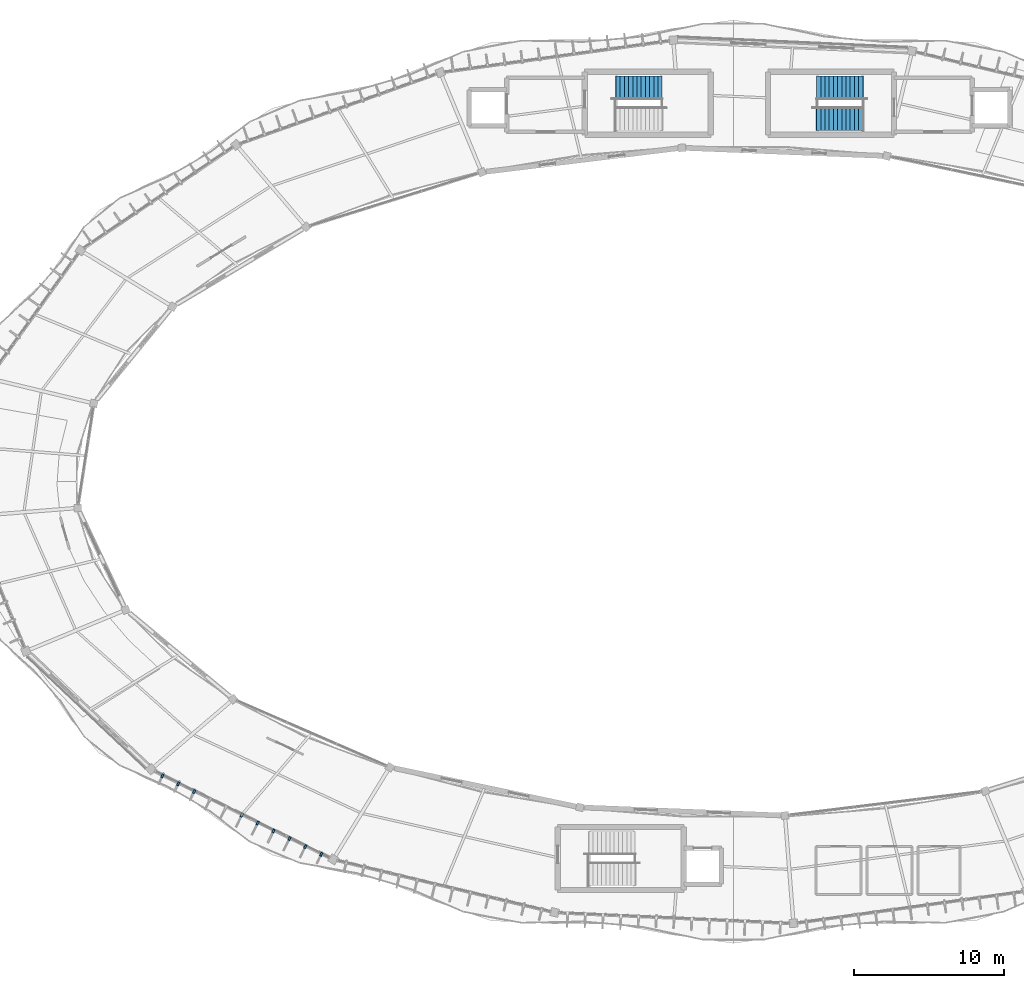
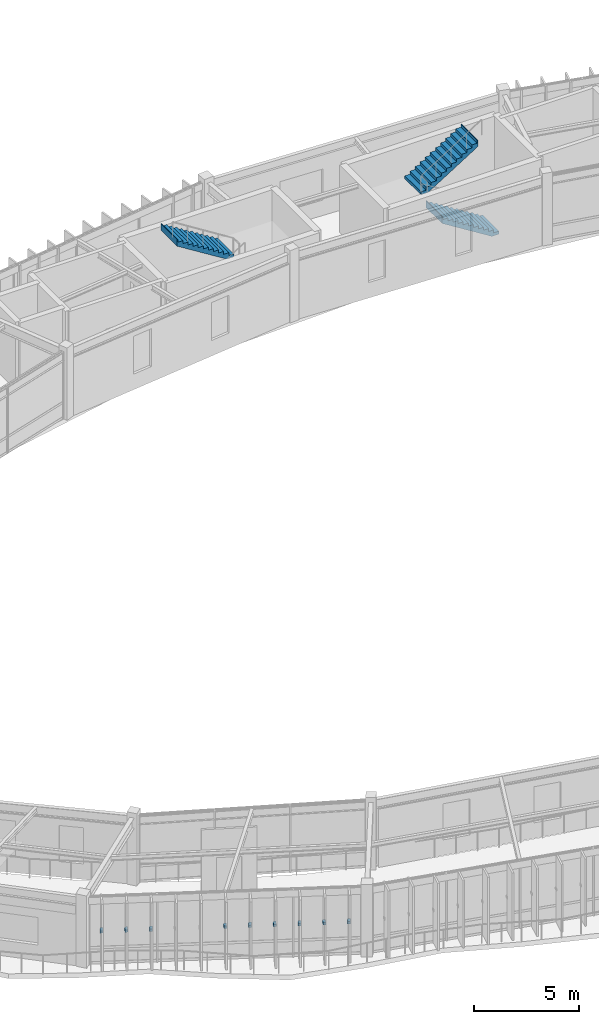
# One storey, part 70 of 79: 9 discrete accessories, 3 stair flights, 2 elements without a shape of their own.
"""IFC4 building model written with IfcOpenShell, lengths in metres."""

from ifc_helpers import new_model, si_unit, direction, frame, origin, origin_2d, place, context, subcontext, project, spatial, polyline, rectangle, outline, extrude, material, type_object, element, aggregate, save


model = new_model("IFC4")

# Units and contexts
model_context = context("Model", 3, precision=1e-05, world=origin(), true_north=direction((0.0, 1.0)))
body_context = subcontext(model_context, "Body", "Model", "MODEL_VIEW")
ifc_project = project(units=[si_unit("LENGTHUNIT", "METRE"), si_unit("AREAUNIT", "SQUARE_METRE"), si_unit("VOLUMEUNIT", "CUBIC_METRE"), si_unit("PLANEANGLEUNIT", "RADIAN"), si_unit("MASSUNIT", "GRAM", prefix="KILO"), si_unit("THERMODYNAMICTEMPERATUREUNIT", "KELVIN"), si_unit("POWERUNIT", "WATT")], contexts=[model_context])

# Site, building, storey
site_placement = place(None, origin())
site = spatial("IfcSite", under=ifc_project, at=site_placement, CompositionType="ELEMENT")
building_placement = place(site_placement, origin())
building = spatial("IfcBuilding", under=site, at=building_placement, Name="Darbajah Civic Hall", CompositionType="ELEMENT")
storey_placement = place(building_placement, frame((0.0, 0.0, 22.199951171875)))
storey = spatial("IfcBuildingStorey", under=building, at=storey_placement, Name="L05", CompositionType="ELEMENT", Elevation=22.199951171875)

# Stair, stair flight
ifc_material_1 = material(Name="Concrete C45/55", Category="concrete")
stair_type = type_object("IfcStairType", Name="Half Turn Stair 1650x4200", PredefinedType="HALF_TURN_STAIR", material=ifc_material_1)
stair_1_placement = place(storey_placement, origin())
stair_1 = element("IfcStair", 1, at=stair_1_placement, inside=storey, type_object=stair_type, Name="L05 enclosed exit stair ST01", PredefinedType="HALF_TURN_STAIR")
ifc_material_2 = material(Name="Precast Concrete C45/55", Category="concrete")
stair_flight_type = type_object("IfcStairFlightType", Name="Stair Flight 12R 280G", PredefinedType="STRAIGHT", material=ifc_material_2)
stair_flight_1_placement = place(storey_placement, frame((84.360107421875, 116.034912109375, 2.10009765625), z_axis=(0.0, 0.0, 1.0), x_axis=(-1.0, 0.0, 0.0)))
stair_flight_1 = element("IfcStairFlight", 2, at=stair_flight_1_placement, type_object=stair_flight_type, Name="ST01 L05 upper flight", NumberOfRisers=12, NumberOfTreads=11, PredefinedType="STRAIGHT", RiserHeight=0.175, TreadLength=0.28, context=body_context, shape_type="SweptSolid", body=[
    extrude(outline(polyline([(0.0, 0.0), (0.0, 0.175048828125), (0.280029296875, 0.175048828125), (0.280029296875, 0.35009765625), (0.56005859375, 0.35009765625), (0.56005859375, 0.52490234375), (0.840087890625, 0.52490234375), (0.840087890625, 0.699951171875), (1.1201171875, 0.699951171875), (1.1201171875, 0.875), (1.39990234375, 0.875), (1.39990234375, 1.050048828125), (1.679931640625, 1.050048828125), (1.679931640625, 1.22509765625), (1.9599609375, 1.22509765625), (1.9599609375, 1.39990234375), (2.239990234375, 1.39990234375), (2.239990234375, 1.574951171875), (2.52001953125, 1.574951171875), (2.52001953125, 1.75), (2.800048828125, 1.75), (2.800048828125, 1.925048828125), (3.080078125, 1.925048828125), (3.080078125, 2.10009765625), (3.1201171875, 2.10009765625), (3.1201171875, 1.712890625), (0.37939453125, 0.0), (0.0, 0.0)])), frame((0.0, 0.77490234375, 0.0), z_axis=(0.0, -1.0, 0.0), x_axis=(1.0, 0.0, 0.0)), (0.0, 0.0, 1.0), 1.550048828125),
])
aggregate(stair_1, [stair_flight_1])

# Stair, stair flights
stair_2_placement = place(storey_placement, origin())
stair_2 = element("IfcStair", 3, at=stair_2_placement, inside=storey, type_object=stair_type, Name="L05 enclosed exit stair ST02", PredefinedType="HALF_TURN_STAIR")
stair_flight_2_placement = place(storey_placement, frame((97.719970703125, 113.965087890625, 0.0), z_axis=(0.0, 0.0, 1.0), x_axis=(-1.0, 0.0, 0.0)))
stair_flight_2 = element("IfcStairFlight", 4, at=stair_flight_2_placement, type_object=stair_flight_type, Name="ST02 L05 lower flight", NumberOfRisers=12, NumberOfTreads=11, PredefinedType="STRAIGHT", RiserHeight=0.175, TreadLength=0.28, context=body_context, shape_type="SweptSolid", body=[
    extrude(outline(polyline([(0.0, 0.0), (0.0, 0.175048828125), (0.280029296875, 0.175048828125), (0.280029296875, 0.35009765625), (0.56005859375, 0.35009765625), (0.56005859375, 0.52490234375), (0.840087890625, 0.52490234375), (0.840087890625, 0.699951171875), (1.1201171875, 0.699951171875), (1.1201171875, 0.875), (1.39990234375, 0.875), (1.39990234375, 1.050048828125), (1.679931640625, 1.050048828125), (1.679931640625, 1.22509765625), (1.9599609375, 1.22509765625), (1.9599609375, 1.39990234375), (2.239990234375, 1.39990234375), (2.239990234375, 1.574951171875), (2.52001953125, 1.574951171875), (2.52001953125, 1.75), (2.800048828125, 1.75), (2.800048828125, 1.925048828125), (3.080078125, 1.925048828125), (3.080078125, 2.10009765625), (3.1201171875, 2.10009765625), (3.1201171875, 1.712890625), (0.37939453125, 0.0), (0.0, 0.0)])), frame((0.0, 0.77490234375, 0.0), z_axis=(0.0, -1.0, 0.0), x_axis=(1.0, 0.0, 0.0)), (0.0, 0.0, 1.0), 1.550048828125),
])
stair_flight_3_placement = place(storey_placement, frame((94.639892578125, 116.034912109375, 2.10009765625), z_axis=(0.0, 0.0, 1.0), x_axis=(1.0, 0.0, 0.0)))
stair_flight_3 = element("IfcStairFlight", 5, at=stair_flight_3_placement, type_object=stair_flight_type, Name="ST02 L05 upper flight", NumberOfRisers=12, NumberOfTreads=11, PredefinedType="STRAIGHT", RiserHeight=0.175, TreadLength=0.28, context=body_context, shape_type="SweptSolid", body=[
    extrude(outline(polyline([(0.0, 0.0), (0.0, 0.175048828125), (0.280029296875, 0.175048828125), (0.280029296875, 0.35009765625), (0.56005859375, 0.35009765625), (0.56005859375, 0.52490234375), (0.840087890625, 0.52490234375), (0.840087890625, 0.699951171875), (1.1201171875, 0.699951171875), (1.1201171875, 0.875), (1.39990234375, 0.875), (1.39990234375, 1.050048828125), (1.679931640625, 1.050048828125), (1.679931640625, 1.22509765625), (1.9599609375, 1.22509765625), (1.9599609375, 1.39990234375), (2.239990234375, 1.39990234375), (2.239990234375, 1.574951171875), (2.52001953125, 1.574951171875), (2.52001953125, 1.75), (2.800048828125, 1.75), (2.800048828125, 1.925048828125), (3.080078125, 1.925048828125), (3.080078125, 2.10009765625), (3.1201171875, 2.10009765625), (3.1201171875, 1.712890625), (0.37939453125, 0.0), (0.0, 0.0)])), frame((0.0, 0.77490234375, 0.0), z_axis=(0.0, -1.0, 0.0), x_axis=(1.0, 0.0, 0.0)), (0.0, 0.0, 1.0), 1.550048828125),
])
aggregate(stair_2, [stair_flight_2, stair_flight_3])

# Discrete accessories
ifc_material_3 = material(Name="Stainless Steel S355JR", Category="steel")
discrete_accessory_type = type_object("IfcDiscreteAccessoryType", Name="Stainless Facade Support Bracket", PredefinedType="BRACKET", material=ifc_material_3)
for number, where, z_axis, x_axis, name in (
    (6, (51.070068359375, 70.20361328125, 1.89013671875), (0.0, 0.0, 1.0), (-0.442914717678, -0.89656374724, 0.0), "L05 shading fin bracket 12-1"),
    (7, (52.127685546875, 69.680908203125, 1.89013671875), (0.0, 0.0, 1.0), (-0.442914717678, -0.89656374724, 0.0), "L05 shading fin bracket 12-2"),
    (8, (53.185791015625, 69.158203125, 1.89013671875), (0.0, 0.0, 1.0), (-0.442914717678, -0.89656374724, 0.0), "L05 shading fin bracket 12-3"),
    (9, (56.359375, 67.59033203125, 1.89013671875), (0.0, 0.0, 1.0), (-0.442914717678, -0.89656374724, 0.0), "L05 shading fin bracket 12-6"),
    (10, (57.417236328125, 67.06787109375, 1.89013671875), (0.0, 0.0, 1.0), (-0.442914717678, -0.89656374724, 0.0), "L05 shading fin bracket 12-7"),
    (11, (58.47509765625, 66.545166015625, 1.89013671875), (0.0, 0.0, 1.0), (-0.442914717678, -0.89656374724, 0.0), "L05 shading fin bracket 12-8"),
    (12, (59.532958984375, 66.022705078125, 1.89013671875), (0.0, 0.0, 1.0), (-0.442914717678, -0.89656374724, 0.0), "L05 shading fin bracket 12-9"),
    (13, (60.5908203125, 65.5, 1.89013671875), (0.0, 0.0, 1.0), (-0.442914717678, -0.89656374724, 0.0), "L05 shading fin bracket 12-10"),
    (14, (61.648681640625, 64.977294921875, 1.89013671875), (0.0, 0.0, 1.0), (-0.442914717678, -0.89656374724, 0.0), "L05 shading fin bracket 12-11"),
):
    element("IfcDiscreteAccessory", number, at=place(storey_placement, frame(where, z_axis=z_axis, x_axis=x_axis)), inside=storey, type_object=discrete_accessory_type, Name=name, PredefinedType="BRACKET", context=body_context, shape_type="SweptSolid", body=[
        extrude(rectangle(XDim=0.260009765625, YDim=0.139892578125, at=origin_2d()), origin(), (0.0, 0.0, 1.0), 0.139892578125),
    ])

save(model, "model.ifc")
